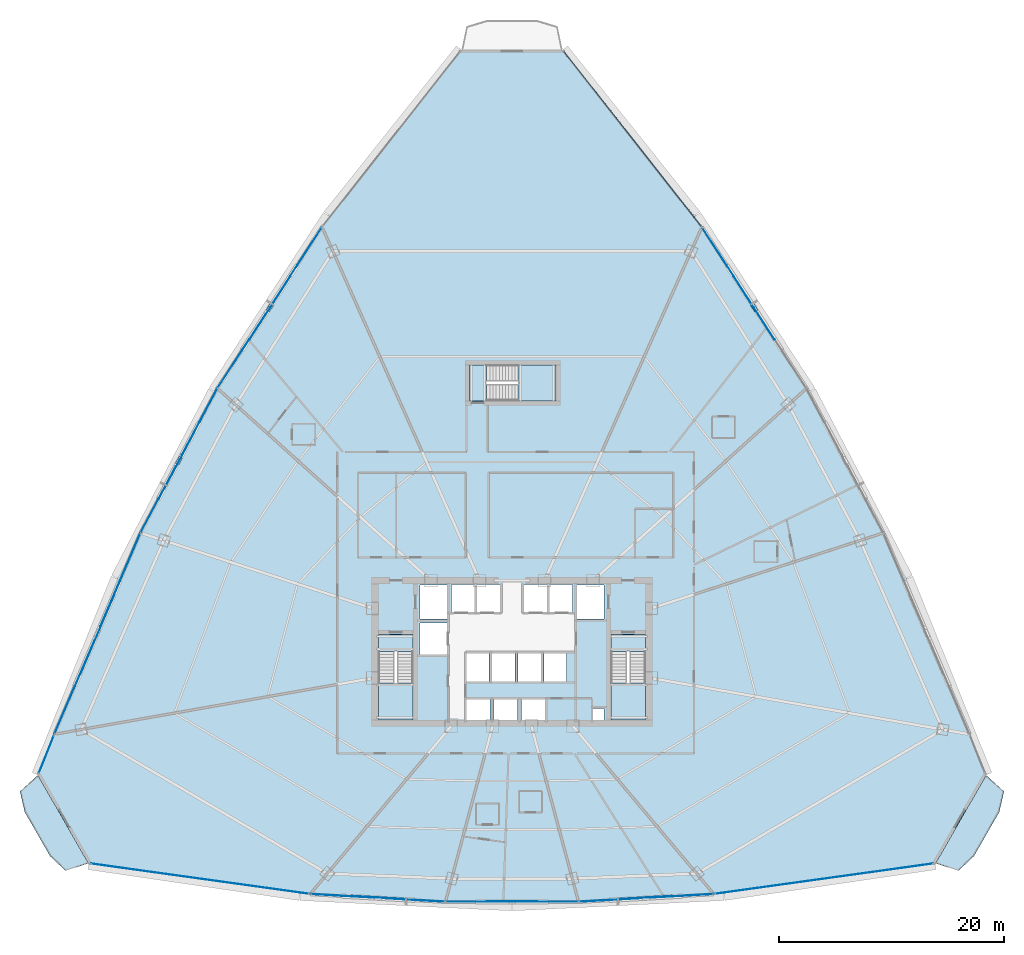
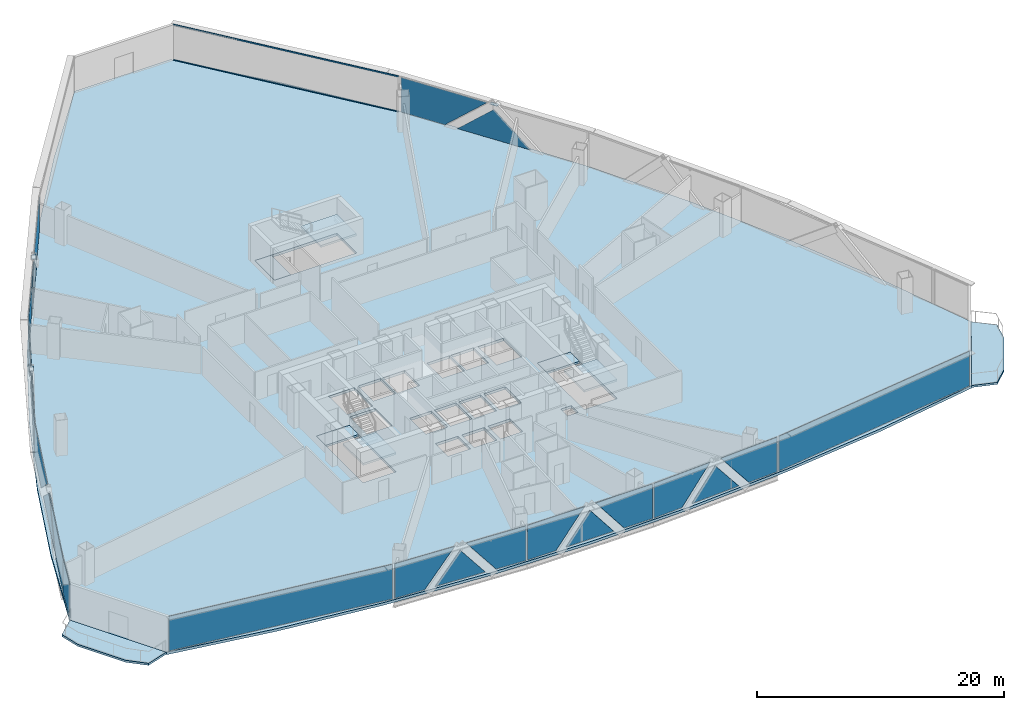
# One storey, part 27 of 37: 26 plates, 9 slabs, 2 members, 14 elements without a shape of their own.
"""IFC4 building model written with IfcOpenShell, lengths in metres."""

from ifc_helpers import new_model, si_unit, direction, frame, origin, origin_2d, place, context, subcontext, project, spatial, polyline, rectangle, hollow_rectangle, outline, extrude, source, transform, mapped, material, layer, layer_set, material_profile, profile_set, type_object, element, aggregate, save


model = new_model("IFC4")

# Units and contexts
model_context = context("Model", 3, precision=1e-05, world=origin(), true_north=direction((0.0, 1.0)))
body_context = subcontext(model_context, "Body", "Model", "MODEL_VIEW")
ifc_project = project(units=[si_unit("LENGTHUNIT", "METRE"), si_unit("AREAUNIT", "SQUARE_METRE"), si_unit("VOLUMEUNIT", "CUBIC_METRE"), si_unit("PLANEANGLEUNIT", "RADIAN"), si_unit("MASSUNIT", "GRAM", prefix="KILO"), si_unit("THERMODYNAMICTEMPERATUREUNIT", "KELVIN"), si_unit("POWERUNIT", "WATT")], contexts=[model_context])

# Site, building, storey
site_placement = place(None, origin())
site = spatial("IfcSite", under=ifc_project, at=site_placement, CompositionType="ELEMENT")
building_placement = place(site_placement, origin())
building = spatial("IfcBuilding", under=site, at=building_placement, Name="Yunzhuo Pagoda Commons", CompositionType="ELEMENT")
storey_placement = place(building_placement, frame((0.0, 0.0, 84.97998046875)))
storey = spatial("IfcBuildingStorey", under=building, at=storey_placement, Name="L21", CompositionType="ELEMENT", Elevation=84.97998046875)

# Curtain wall, members
ifc_material_1 = material(Name="Anodized aluminium 6063-T6", Category="aluminium")
ifc_layer_1 = layer(ifc_material_1, 0.1650390625)
ifc_layer_set_1 = layer_set([ifc_layer_1], Name="Anodized aluminium 6063-T6")
curtain_wall_type = type_object("IfcCurtainWallType", Name="CW-LOW Low-Zone Ribbon Curtain Wall", PredefinedType="NOTDEFINED", material=ifc_layer_set_1)
curtain_wall_1_placement = place(storey_placement, origin())
curtain_wall_1 = element("IfcCurtainWall", 1, at=curtain_wall_1_placement, inside=storey, type_object=curtain_wall_type, Name="L21 curtain wall CW-L21-F2B5", PredefinedType="NOTDEFINED")
ifc_material_profile = material_profile(ifc_material_1, hollow_rectangle(XDim=0.06005859375, YDim=0.139892578125, WallThickness=0.00341796875, at=origin_2d()), Name="Anodized aluminium 6063-T6")
ifc_profile_set = profile_set([ifc_material_profile], Name="Anodized aluminium 6063-T6")
member_type = type_object("IfcMemberType", Name="CW-LOW-T Transom RHS 140x60x3.5", PredefinedType="USERDEFINED", material=ifc_profile_set)
shared_shape_1 = source(origin(), body_context, "Body", "SweptSolid", [
    extrude(hollow_rectangle(XDim=0.06005859375, YDim=0.139892578125, WallThickness=0.00341796875, at=origin_2d()), origin(), (0.0, 0.0, 1.0), 19.706298828125),
])
member_1_placement = place(storey_placement, frame((64.8173828125, 71.777099609375, 0.030029296875), z_axis=(-0.61806117369, 0.786130005519, 0.0), x_axis=(-0.786130005519, -0.61806117369, 0.0)))
member_1 = element("IfcMember", 2, at=member_1_placement, type_object=member_type, Name="CW transom 1.1", ObjectType="TRANSOM", PredefinedType="USERDEFINED", context=body_context, shape_type="MappedRepresentation", body=[
    mapped(shared_shape_1, transform((0.0, 0.0, 0.0), scale=1.0)),
])
member_2_placement = place(storey_placement, frame((64.8173828125, 71.777099609375, 3.510009765625), z_axis=(-0.61806117369, 0.786130005519, 0.0), x_axis=(-0.786130005519, -0.61806117369, 0.0)))
member_2 = element("IfcMember", 3, at=member_2_placement, type_object=member_type, Name="CW transom 1.2", ObjectType="TRANSOM", PredefinedType="USERDEFINED", context=body_context, shape_type="MappedRepresentation", body=[
    mapped(shared_shape_1, transform((0.0, 0.0, 0.0), scale=1.0)),
])
aggregate(curtain_wall_1, [member_1, member_2])

# Curtain wall, plates
curtain_wall_2_placement = place(storey_placement, origin())
curtain_wall_2 = element("IfcCurtainWall", 4, at=curtain_wall_2_placement, inside=storey, type_object=curtain_wall_type, Name="L21 curtain wall CW-L21-F1B2", PredefinedType="NOTDEFINED")
ifc_material_2 = material(Name="Tempered low-e double glazing", Category="glass")
ifc_layer_2 = layer(ifc_material_2, 0.028076171875)
ifc_layer_set_2 = layer_set([ifc_layer_2], Name="Tempered low-e double glazing")
plate_type_1 = type_object("IfcPlateType", Name="CW-LOW-P Low-E Double Glazing 28", PredefinedType="CURTAIN_PANEL", material=ifc_layer_set_2)
plate_1_placement = place(storey_placement, frame((32.8154296875, 12.147705078125, 1.77001953125), z_axis=(-0.057418382325, -0.998350203772, 0.0), x_axis=(0.998350203772, -0.057418382325, 0.0)))
plate_1 = element("IfcPlate", 5, at=plate_1_placement, type_object=plate_type_1, Name="CW panel 1.1 lite 1", PredefinedType="CURTAIN_PANEL", context=body_context, shape_type="SweptSolid", body=[
    extrude(outline(polyline([(-2.71630859375, -1.7099609375), (0.002685546875, -1.7099609375), (2.71630859375, 1.7099609375), (-2.71630859375, 1.7099609375), (-2.71630859375, -1.7099609375)])), origin(), (0.0, 0.0, 1.0), 0.028076171875),
])
plate_2_placement = place(storey_placement, frame((36.060791015625, 11.9912109375, 1.494384765625), z_axis=(-0.057418382325, -0.998350203772, 0.0), x_axis=(0.998350203772, -0.057418382325, 0.0)))
plate_2 = element("IfcPlate", 6, at=plate_2_placement, type_object=plate_type_1, Name="CW panel 1.1 lite 2", PredefinedType="CURTAIN_PANEL", context=body_context, shape_type="SweptSolid", body=[
    extrude(outline(polyline([(-2.276123046875, -1.434326171875), (2.276123046875, -1.434326171875), (0.0, 1.434326171875), (-2.276123046875, -1.434326171875)])), origin(), (0.0, 0.0, 1.0), 0.028076171875),
])
plate_3_placement = place(storey_placement, frame((39.302734375, 11.774658203125, 1.77001953125), z_axis=(-0.057418382325, -0.998350203772, 0.0), x_axis=(0.998350203772, -0.057418382325, 0.0)))
plate_3 = element("IfcPlate", 7, at=plate_3_placement, type_object=plate_type_1, Name="CW panel 1.1 lite 3", PredefinedType="CURTAIN_PANEL", context=body_context, shape_type="SweptSolid", body=[
    extrude(outline(polyline([(-2.71630859375, 1.7099609375), (-0.002685546875, -1.7099609375), (2.71630859375, -1.7099609375), (2.71630859375, 1.7099609375), (-2.71630859375, 1.7099609375)])), origin(), (0.0, 0.0, 1.0), 0.028076171875),
])
aggregate(curtain_wall_2, [plate_1, plate_2, plate_3])

curtain_wall_3_placement = place(storey_placement, origin())
curtain_wall_3 = element("IfcCurtainWall", 8, at=curtain_wall_3_placement, inside=storey, type_object=curtain_wall_type, Name="L21 curtain wall CW-L21-F1B3", PredefinedType="NOTDEFINED")
plate_4_placement = place(storey_placement, frame((44.8076171875, 11.615234375, 1.77001953125), z_axis=(0.0, -1.0, 0.0), x_axis=(1.0, 0.0, 0.0)))
plate_4 = element("IfcPlate", 9, at=plate_4_placement, type_object=plate_type_1, Name="CW panel 1.1 lite 1", PredefinedType="CURTAIN_PANEL", context=body_context, shape_type="SweptSolid", body=[
    extrude(outline(polyline([(-2.663818359375, -1.7099609375), (-0.00048828125, -1.7099609375), (2.663818359375, 1.7099609375), (-2.663818359375, 1.7099609375), (-2.663818359375, -1.7099609375)])), origin(), (0.0, 0.0, 1.0), 0.028076171875),
])
plate_5_placement = place(storey_placement, frame((48.0, 11.64501953125, 1.490966796875), z_axis=(0.0, -1.0, 0.0), x_axis=(1.0, 0.0, 0.0)))
plate_5 = element("IfcPlate", 10, at=plate_5_placement, type_object=plate_type_1, Name="CW panel 1.1 lite 2", PredefinedType="CURTAIN_PANEL", context=body_context, shape_type="SweptSolid", body=[
    extrude(outline(polyline([(-2.229736328125, -1.430908203125), (2.229736328125, -1.430908203125), (0.0, 1.430908203125), (-2.229736328125, -1.430908203125)])), origin(), (0.0, 0.0, 1.0), 0.028076171875),
])
plate_6_placement = place(storey_placement, frame((51.1923828125, 11.615234375, 1.77001953125), z_axis=(0.0, -1.0, 0.0), x_axis=(1.0, 0.0, 0.0)))
plate_6 = element("IfcPlate", 11, at=plate_6_placement, type_object=plate_type_1, Name="CW panel 1.1 lite 3", PredefinedType="CURTAIN_PANEL", context=body_context, shape_type="SweptSolid", body=[
    extrude(outline(polyline([(-2.663818359375, 1.7099609375), (0.00048828125, -1.7099609375), (2.663818359375, -1.7099609375), (2.663818359375, 1.7099609375), (-2.663818359375, 1.7099609375)])), origin(), (0.0, 0.0, 1.0), 0.028076171875),
])
aggregate(curtain_wall_3, [plate_4, plate_5, plate_6])

curtain_wall_4_placement = place(storey_placement, origin())
curtain_wall_4 = element("IfcCurtainWall", 12, at=curtain_wall_4_placement, inside=storey, type_object=curtain_wall_type, Name="L21 curtain wall CW-L21-F1B4", PredefinedType="NOTDEFINED")
plate_7_placement = place(storey_placement, frame((56.697265625, 11.774658203125, 1.77001953125), z_axis=(0.057418382325, -0.998350203772, 0.0), x_axis=(0.998350203772, 0.057418382325, 0.0)))
plate_7 = element("IfcPlate", 13, at=plate_7_placement, type_object=plate_type_1, Name="CW panel 1.1 lite 1", PredefinedType="CURTAIN_PANEL", context=body_context, shape_type="SweptSolid", body=[
    extrude(outline(polyline([(-2.71630859375, -1.7099609375), (0.002685546875, -1.7099609375), (2.71630859375, 1.7099609375), (-2.71630859375, 1.7099609375), (-2.71630859375, -1.7099609375)])), origin(), (0.0, 0.0, 1.0), 0.028076171875),
])
plate_8_placement = place(storey_placement, frame((59.939208984375, 11.9912109375, 1.494384765625), z_axis=(0.057418382325, -0.998350203772, 0.0), x_axis=(0.998350203772, 0.057418382325, 0.0)))
plate_8 = element("IfcPlate", 14, at=plate_8_placement, type_object=plate_type_1, Name="CW panel 1.1 lite 2", PredefinedType="CURTAIN_PANEL", context=body_context, shape_type="SweptSolid", body=[
    extrude(outline(polyline([(-2.276123046875, -1.434326171875), (2.276123046875, -1.434326171875), (0.0, 1.434326171875), (-2.276123046875, -1.434326171875)])), origin(), (0.0, 0.0, 1.0), 0.028076171875),
])
plate_9_placement = place(storey_placement, frame((63.1845703125, 12.147705078125, 1.77001953125), z_axis=(0.057418382325, -0.998350203772, 0.0), x_axis=(0.998350203772, 0.057418382325, 0.0)))
plate_9 = element("IfcPlate", 15, at=plate_9_placement, type_object=plate_type_1, Name="CW panel 1.1 lite 3", PredefinedType="CURTAIN_PANEL", context=body_context, shape_type="SweptSolid", body=[
    extrude(outline(polyline([(-2.71630859375, 1.7099609375), (-0.002685546875, -1.7099609375), (2.71630859375, -1.7099609375), (2.71630859375, 1.7099609375), (-2.71630859375, 1.7099609375)])), origin(), (0.0, 0.0, 1.0), 0.028076171875),
])
aggregate(curtain_wall_4, [plate_7, plate_8, plate_9])

curtain_wall_5_placement = place(storey_placement, origin())
curtain_wall_5 = element("IfcCurtainWall", 16, at=curtain_wall_5_placement, inside=storey, type_object=curtain_wall_type, Name="L21 curtain wall CW-L21-F2B4", PredefinedType="NOTDEFINED")
plate_10_placement = place(storey_placement, frame((69.525146484375, 64.4638671875, 1.5458984375), z_axis=(0.838906636672, 0.544275348466, 0.0), x_axis=(-0.544275348466, 0.838906636672, 0.0)))
plate_10 = element("IfcPlate", 17, at=plate_10_placement, type_object=plate_type_1, Name="CW panel 1.1 lite 2", PredefinedType="CURTAIN_PANEL", context=body_context, shape_type="SweptSolid", body=[
    extrude(outline(polyline([(-3.346435546875, -1.48583984375), (3.346435546875, -1.48583984375), (0.0, 1.48583984375), (-3.346435546875, -1.48583984375)])), origin(), (0.0, 0.0, 1.0), 0.028076171875),
])
plate_11_placement = place(storey_placement, frame((67.064697265625, 68.31103515625, 1.77001953125), z_axis=(0.838906636672, 0.544275348466, 0.0), x_axis=(-0.544275348466, 0.838906636672, 0.0)))
plate_11 = element("IfcPlate", 18, at=plate_11_placement, type_object=plate_type_1, Name="CW panel 1.1 lite 3", PredefinedType="CURTAIN_PANEL", context=body_context, shape_type="SweptSolid", body=[
    extrude(outline(polyline([(-3.926513671875, 1.7099609375), (-0.07568359375, -1.7099609375), (3.926513671875, -1.7099609375), (3.926513671875, 1.7099609375), (-3.926513671875, 1.7099609375)])), origin(), (0.0, 0.0, 1.0), 0.028076171875),
])
aggregate(curtain_wall_5, [plate_10, plate_11])

curtain_wall_6_placement = place(storey_placement, origin())
curtain_wall_6 = element("IfcCurtainWall", 19, at=curtain_wall_6_placement, inside=storey, type_object=curtain_wall_type, Name="L21 curtain wall CW-L21-F3B2", PredefinedType="NOTDEFINED")
plate_12_placement = place(storey_placement, frame((28.935302734375, 68.31103515625, 1.77001953125), z_axis=(-0.838906636672, 0.544275348466, 0.0), x_axis=(-0.544275348466, -0.838906636672, 0.0)))
plate_12 = element("IfcPlate", 20, at=plate_12_placement, type_object=plate_type_1, Name="CW panel 1.1 lite 1", PredefinedType="CURTAIN_PANEL", context=body_context, shape_type="SweptSolid", body=[
    extrude(outline(polyline([(-3.926513671875, -1.7099609375), (0.07568359375, -1.7099609375), (3.926513671875, 1.7099609375), (-3.926513671875, 1.7099609375), (-3.926513671875, -1.7099609375)])), origin(), (0.0, 0.0, 1.0), 0.028076171875),
])
plate_13_placement = place(storey_placement, frame((26.47509765625, 64.4638671875, 1.5458984375), z_axis=(-0.838906636672, 0.544275348466, 0.0), x_axis=(-0.544275348466, -0.838906636672, 0.0)))
plate_13 = element("IfcPlate", 21, at=plate_13_placement, type_object=plate_type_1, Name="CW panel 1.1 lite 2", PredefinedType="CURTAIN_PANEL", context=body_context, shape_type="SweptSolid", body=[
    extrude(outline(polyline([(-3.346435546875, -1.48583984375), (3.346435546875, -1.48583984375), (0.0, 1.48583984375), (-3.346435546875, -1.48583984375)])), origin(), (0.0, 0.0, 1.0), 0.028076171875),
])
plate_14_placement = place(storey_placement, frame((23.96435546875, 60.6494140625, 1.77001953125), z_axis=(-0.838906636672, 0.544275348466, 0.0), x_axis=(-0.544275348466, -0.838906636672, 0.0)))
plate_14 = element("IfcPlate", 22, at=plate_14_placement, type_object=plate_type_1, Name="CW panel 1.1 lite 3", PredefinedType="CURTAIN_PANEL", context=body_context, shape_type="SweptSolid", body=[
    extrude(outline(polyline([(-3.926513671875, 1.7099609375), (-0.075439453125, -1.7099609375), (3.926513671875, -1.7099609375), (3.926513671875, 1.7099609375), (-3.926513671875, 1.7099609375)])), origin(), (0.0, 0.0, 1.0), 0.028076171875),
])
aggregate(curtain_wall_6, [plate_12, plate_13, plate_14])

curtain_wall_7_placement = place(storey_placement, origin())
curtain_wall_7 = element("IfcCurtainWall", 23, at=curtain_wall_7_placement, inside=storey, type_object=curtain_wall_type, Name="L21 curtain wall CW-L21-F3B3", PredefinedType="NOTDEFINED")
plate_15_placement = place(storey_placement, frame((20.203369140625, 54.314697265625, 1.77001953125), z_axis=(-0.8828050059, 0.469739631666, 0.0), x_axis=(-0.469739631666, -0.8828050059, 0.0)))
plate_15 = element("IfcPlate", 24, at=plate_15_placement, type_object=plate_type_1, Name="CW panel 1.1 lite 1", PredefinedType="CURTAIN_PANEL", context=body_context, shape_type="SweptSolid", body=[
    extrude(outline(polyline([(-3.318603515625, -1.7099609375), (0.039794921875, -1.7099609375), (3.318603515625, 1.7099609375), (-3.318603515625, 1.7099609375), (-3.318603515625, -1.7099609375)])), origin(), (0.0, 0.0, 1.0), 0.028076171875),
])
plate_16_placement = place(storey_placement, frame((18.396484375, 50.855224609375, 1.525390625), z_axis=(-0.8828050059, 0.469739631666, 0.0), x_axis=(-0.469739631666, -0.8828050059, 0.0)))
plate_16 = element("IfcPlate", 25, at=plate_16_placement, type_object=plate_type_1, Name="CW panel 1.1 lite 2", PredefinedType="CURTAIN_PANEL", context=body_context, shape_type="SweptSolid", body=[
    extrude(outline(polyline([(-2.81005859375, -1.46533203125), (2.81005859375, -1.46533203125), (0.0, 1.465576171875), (-2.81005859375, -1.46533203125)])), origin(), (0.0, 0.0, 1.0), 0.028076171875),
])
plate_17_placement = place(storey_placement, frame((16.536865234375, 47.424072265625, 1.77001953125), z_axis=(-0.8828050059, 0.469739631666, 0.0), x_axis=(-0.469739631666, -0.8828050059, 0.0)))
plate_17 = element("IfcPlate", 26, at=plate_17_placement, type_object=plate_type_1, Name="CW panel 1.1 lite 3", PredefinedType="CURTAIN_PANEL", context=body_context, shape_type="SweptSolid", body=[
    extrude(outline(polyline([(-3.31884765625, 1.7099609375), (-0.039794921875, -1.7099609375), (3.31884765625, -1.7099609375), (3.31884765625, 1.7099609375), (-3.31884765625, 1.7099609375)])), origin(), (0.0, 0.0, 1.0), 0.028076171875),
])
aggregate(curtain_wall_7, [plate_15, plate_16, plate_17])

curtain_wall_8_placement = place(storey_placement, origin())
curtain_wall_8 = element("IfcCurtainWall", 27, at=curtain_wall_8_placement, inside=storey, type_object=curtain_wall_type, Name="L21 curtain wall CW-L21-F3B4", PredefinedType="NOTDEFINED")
plate_18_placement = place(storey_placement, frame((13.15234375, 40.24560546875, 1.77001953125), z_axis=(-0.919250024103, 0.39367422215, 0.0), x_axis=(-0.39367422215, -0.919250024103, 0.0)))
plate_18 = element("IfcPlate", 28, at=plate_18_placement, type_object=plate_type_1, Name="CW panel 1.1 lite 1", PredefinedType="CURTAIN_PANEL", context=body_context, shape_type="SweptSolid", body=[
    extrude(outline(polyline([(-4.49560546875, -1.7099609375), (0.107421875, -1.7099609375), (4.49560546875, 1.7099609375), (-4.49560546875, 1.7099609375), (-4.49560546875, -1.7099609375)])), origin(), (0.0, 0.0, 1.0), 0.028076171875),
])
plate_19_placement = place(storey_placement, frame((11.136474609375, 35.46240234375, 1.55908203125), z_axis=(-0.919250024103, 0.39367422215, 0.0), x_axis=(-0.39367422215, -0.919250024103, 0.0)))
plate_19 = element("IfcPlate", 29, at=plate_19_placement, type_object=plate_type_1, Name="CW panel 1.1 lite 2", PredefinedType="CURTAIN_PANEL", context=body_context, shape_type="SweptSolid", body=[
    extrude(outline(polyline([(-3.846923828125, -1.4990234375), (3.846923828125, -1.4990234375), (0.0, 1.4990234375), (-3.846923828125, -1.4990234375)])), origin(), (0.0, 0.0, 1.0), 0.028076171875),
])
plate_20_placement = place(storey_placement, frame((9.0654296875, 30.70263671875, 1.77001953125), z_axis=(-0.919250024103, 0.39367422215, 0.0), x_axis=(-0.39367422215, -0.919250024103, 0.0)))
plate_20 = element("IfcPlate", 30, at=plate_20_placement, type_object=plate_type_1, Name="CW panel 1.1 lite 3", PredefinedType="CURTAIN_PANEL", context=body_context, shape_type="SweptSolid", body=[
    extrude(outline(polyline([(-4.49560546875, 1.7099609375), (-0.107421875, -1.7099609375), (4.49560546875, -1.7099609375), (4.49560546875, 1.7099609375), (-4.49560546875, 1.7099609375)])), origin(), (0.0, 0.0, 1.0), 0.028076171875),
])
aggregate(curtain_wall_8, [plate_18, plate_19, plate_20])

# Slabs
ifc_material_3 = material(Name="Concrete C40", Category="concrete")
ifc_layer_3 = layer(ifc_material_3, 0.199951171875)
ifc_layer_set_3 = layer_set([ifc_layer_3], Name="Concrete C40")
slab_type_1 = type_object("IfcSlabType", Name="SL-BAL Vertex Balcony Deck Slab 200", PredefinedType="FLOOR", material=ifc_layer_set_3)
slab_1_placement = place(storey_placement, frame((0.0, 0.0, -0.199951171875)))
element("IfcSlab", 31, at=slab_1_placement, inside=storey, type_object=slab_type_1, Name="L21 corner balcony V1", PredefinedType="FLOOR", context=body_context, shape_type="SweptSolid", body=[
    extrude(outline(polyline([(5.7958984375, 22.867919921875), (10.29833984375, 15.026123046875), (8.257568359375, 14.373291015625), (6.87890625, 15.669677734375), (4.627685546875, 19.590576171875), (4.202880859375, 21.4345703125), (5.7958984375, 22.867919921875)])), origin(), (0.0, 0.0, 1.0), 0.199951171875),
])
slab_2_placement = place(storey_placement, frame((0.0, 0.0, -0.199951171875)))
element("IfcSlab", 32, at=slab_2_placement, inside=storey, type_object=slab_type_1, Name="L21 corner balcony V2", PredefinedType="FLOOR", context=body_context, shape_type="SweptSolid", body=[
    extrude(outline(polyline([(85.70166015625, 15.026123046875), (90.2041015625, 22.867919921875), (91.797119140625, 21.4345703125), (91.372314453125, 19.590576171875), (89.12109375, 15.669677734375), (87.742431640625, 14.373291015625), (85.70166015625, 15.026123046875)])), origin(), (0.0, 0.0, 1.0), 0.199951171875),
])

# Stair, slabs
stair_type_1 = type_object("IfcStairType", Name="ST-C1 Core Smokeproof Stair ST1", PredefinedType="HALF_TURN_STAIR", material=ifc_material_3)
stair_1_placement = place(storey_placement, origin())
stair_1 = element("IfcStair", 33, at=stair_1_placement, inside=storey, type_object=stair_type_1, Name="L21 Core smokeproof stair ST1", PredefinedType="HALF_TURN_STAIR")
ifc_layer_4 = layer(ifc_material_3, 0.199951171875)
ifc_layer_set_4 = layer_set([ifc_layer_4], Name="Concrete C40")
slab_type_2 = type_object("IfcSlabType", Name="SL-LND1 Stair Landing Slab 200", PredefinedType="LANDING", material=ifc_layer_set_4)
slab_3_placement = place(storey_placement, frame((0.0, 0.0, 1.699951171875)))
slab_3 = element("IfcSlab", 34, at=slab_3_placement, type_object=slab_type_2, Name="ST1 landing 1", PredefinedType="LANDING", context=body_context, shape_type="SweptSolid", body=[
    extrude(outline(polyline([(36.10009765625, 31.10009765625), (36.10009765625, 27.800048828125), (39.199951171875, 27.800048828125), (39.199951171875, 31.10009765625), (36.10009765625, 31.10009765625)])), origin(), (0.0, 0.0, 1.0), 0.199951171875),
])
slab_4_placement = place(storey_placement, frame((0.0, 0.0, -0.199951171875)))
slab_4 = element("IfcSlab", 35, at=slab_4_placement, type_object=slab_type_2, Name="ST1 floor landing L21", PredefinedType="LANDING", context=body_context, shape_type="SweptSolid", body=[
    extrude(outline(polyline([(36.10009765625, 35.39990234375), (36.10009765625, 33.89990234375), (39.199951171875, 33.89990234375), (39.199951171875, 35.39990234375), (36.10009765625, 35.39990234375)])), origin(), (0.0, 0.0, 1.0), 0.199951171875),
])
aggregate(stair_1, [slab_3, slab_4])

stair_type_2 = type_object("IfcStairType", Name="ST-C2 Core Smokeproof Stair ST2", PredefinedType="HALF_TURN_STAIR", material=ifc_material_3)
stair_2_placement = place(storey_placement, origin())
stair_2 = element("IfcStair", 36, at=stair_2_placement, inside=storey, type_object=stair_type_2, Name="L21 Core smokeproof stair ST2", PredefinedType="HALF_TURN_STAIR")
ifc_layer_5 = layer(ifc_material_3, 0.201904296875)
ifc_layer_set_5 = layer_set([ifc_layer_5], Name="Concrete C40")
slab_type_3 = type_object("IfcSlabType", Name="SL-LND2 Stair Landing Slab 202", PredefinedType="LANDING", material=ifc_layer_set_5)
slab_5_placement = place(storey_placement, frame((0.0, 0.0, 1.699951171875)))
slab_5 = element("IfcSlab", 37, at=slab_5_placement, type_object=slab_type_3, Name="ST2 landing 1", PredefinedType="LANDING", context=body_context, shape_type="SweptSolid", body=[
    extrude(outline(polyline([(56.800048828125, 31.10009765625), (56.800048828125, 27.800048828125), (59.89990234375, 27.800048828125), (59.89990234375, 31.10009765625), (56.800048828125, 31.10009765625)])), origin(), (0.0, 0.0, 1.0), 0.199951171875),
])
slab_6_placement = place(storey_placement, frame((0.0, 0.0, -0.199951171875)))
slab_6 = element("IfcSlab", 38, at=slab_6_placement, type_object=slab_type_3, Name="ST2 floor landing L21", PredefinedType="LANDING", context=body_context, shape_type="SweptSolid", body=[
    extrude(outline(polyline([(56.800048828125, 35.39990234375), (56.800048828125, 33.89990234375), (59.89990234375, 33.89990234375), (59.89990234375, 35.39990234375), (56.800048828125, 35.39990234375)])), origin(), (0.0, 0.0, 1.0), 0.199951171875),
])
aggregate(stair_2, [slab_5, slab_6])

stair_type_3 = type_object("IfcStairType", Name="ST-C3 North Tower Smokeproof Stair ST3", PredefinedType="HALF_TURN_STAIR", material=ifc_material_3)
stair_3_placement = place(storey_placement, origin())
stair_3 = element("IfcStair", 39, at=stair_3_placement, inside=storey, type_object=stair_type_3, Name="L21 North tower smokeproof stair ST3", PredefinedType="HALF_TURN_STAIR")
ifc_layer_6 = layer(ifc_material_3, 0.2041015625)
ifc_layer_set_6 = layer_set([ifc_layer_6], Name="Concrete C40")
slab_type_4 = type_object("IfcSlabType", Name="SL-LND5 North Landing Slab 204", PredefinedType="LANDING", material=ifc_layer_set_6)
slab_7_placement = place(storey_placement, frame((0.0, 0.0, 1.699951171875)))
slab_7 = element("IfcSlab", 40, at=slab_7_placement, type_object=slab_type_4, Name="ST3 landing 1", PredefinedType="LANDING", context=body_context, shape_type="SweptSolid", body=[
    extrude(outline(polyline([(48.550048828125, 56.199951171875), (51.89990234375, 56.199951171875), (51.89990234375, 59.39990234375), (48.550048828125, 59.39990234375), (48.550048828125, 56.199951171875)])), origin(), (0.0, 0.0, 1.0), 0.199951171875),
])
slab_8_placement = place(storey_placement, frame((0.0, 0.0, -0.199951171875)))
slab_8 = element("IfcSlab", 41, at=slab_8_placement, type_object=slab_type_4, Name="ST3 floor landing L21", PredefinedType="LANDING", context=body_context, shape_type="SweptSolid", body=[
    extrude(outline(polyline([(44.199951171875, 56.199951171875), (45.75, 56.199951171875), (45.75, 59.39990234375), (44.199951171875, 59.39990234375), (44.199951171875, 56.199951171875)])), origin(), (0.0, 0.0, 1.0), 0.199951171875),
])
aggregate(stair_3, [slab_7, slab_8])

# Slab
ifc_layer_7 = layer(ifc_material_3, 0.260009765625)
ifc_layer_set_7 = layer_set([ifc_layer_7], Name="Concrete C40")
slab_type_5 = type_object("IfcSlabType", Name="SL-TWR Typical Tower Floor Slab 260", PredefinedType="FLOOR", material=ifc_layer_set_7)
slab_9_placement = place(storey_placement, frame((0.0, 0.0, -0.260009765625)))
element("IfcSlab", 42, at=slab_9_placement, inside=storey, type_object=slab_type_5, Name="L21 structural floor slab", PredefinedType="FLOOR", context=body_context, shape_type="SweptSolid", body=[
    extrude(outline(polyline([(9.1259765625, 31.752197265625), (12.84814453125, 40.402587890625), (16.966064453125, 48.82177734375), (21.480224609375, 57.009765625), (26.390380859375, 64.966796875), (31.69677734375, 72.6923828125), (37.39892578125, 80.186767578125), (43.497314453125, 87.449951171875), (52.502685546875, 87.449951171875), (58.60107421875, 80.186767578125), (64.30322265625, 72.6923828125), (69.609619140625, 64.966796875), (74.519775390625, 57.009765625), (79.033935546875, 48.82177734375), (83.15185546875, 40.402587890625), (86.8740234375, 31.752197265625), (90.199951171875, 22.87060546875), (85.697265625, 15.028564453125), (76.27294921875, 13.423583984375), (66.8486328125, 12.277099609375), (57.42431640625, 11.589111328125), (48.0, 11.35986328125), (38.57568359375, 11.589111328125), (29.1513671875, 12.277099609375), (19.72705078125, 13.423583984375), (10.302734375, 15.028564453125), (5.800048828125, 22.87060546875), (9.1259765625, 31.752197265625)]), holes=[polyline([(46.050048828125, 27.60009765625), (46.050048828125, 29.64990234375), (43.949951171875, 29.64990234375), (43.949951171875, 27.60009765625), (46.050048828125, 27.60009765625)]), polyline([(48.5, 27.60009765625), (48.5, 29.64990234375), (46.39990234375, 29.64990234375), (46.39990234375, 27.60009765625), (48.5, 27.60009765625)]), polyline([(36.10009765625, 27.800048828125), (39.199951171875, 27.800048828125), (39.199951171875, 35.39990234375), (36.10009765625, 35.39990234375), (36.10009765625, 27.800048828125)]), polyline([(45.969970703125, 31.199951171875), (45.969970703125, 33.800048828125), (43.929931640625, 33.800048828125), (43.929931640625, 31.199951171875), (45.969970703125, 31.199951171875)]), polyline([(48.27001953125, 31.199951171875), (48.27001953125, 33.800048828125), (46.22998046875, 33.800048828125), (46.22998046875, 31.199951171875), (48.27001953125, 31.199951171875)]), polyline([(42.199951171875, 33.60009765625), (42.199951171875, 36.39990234375), (39.800048828125, 36.39990234375), (39.800048828125, 33.60009765625), (42.199951171875, 33.60009765625)]), polyline([(42.199951171875, 36.800048828125), (42.199951171875, 39.800048828125), (39.800048828125, 39.800048828125), (39.800048828125, 36.800048828125), (42.199951171875, 36.800048828125)]), polyline([(42.60009765625, 37.39990234375), (44.699951171875, 37.39990234375), (44.699951171875, 39.85009765625), (42.60009765625, 39.85009765625), (42.60009765625, 37.39990234375)]), polyline([(44.85009765625, 37.39990234375), (46.949951171875, 37.39990234375), (46.949951171875, 39.85009765625), (44.85009765625, 39.85009765625), (44.85009765625, 37.39990234375)]), polyline([(56.179931640625, 27.699951171875), (56.179931640625, 28.800048828125), (55.179931640625, 28.800048828125), (55.179931640625, 27.699951171875), (56.179931640625, 27.699951171875)]), polyline([(50.949951171875, 27.60009765625), (50.949951171875, 29.64990234375), (48.85009765625, 29.64990234375), (48.85009765625, 27.60009765625), (50.949951171875, 27.60009765625)]), polyline([(56.800048828125, 27.800048828125), (59.89990234375, 27.800048828125), (59.89990234375, 35.39990234375), (56.800048828125, 35.39990234375), (56.800048828125, 27.800048828125)]), polyline([(50.570068359375, 31.199951171875), (50.570068359375, 33.800048828125), (48.530029296875, 33.800048828125), (48.530029296875, 31.199951171875), (50.570068359375, 31.199951171875)]), polyline([(52.8701171875, 31.199951171875), (52.8701171875, 33.800048828125), (50.830078125, 33.800048828125), (50.830078125, 31.199951171875), (52.8701171875, 31.199951171875)]), polyline([(56.199951171875, 36.800048828125), (56.199951171875, 39.800048828125), (53.800048828125, 39.800048828125), (53.800048828125, 36.800048828125), (56.199951171875, 36.800048828125)]), polyline([(51.14990234375, 37.39990234375), (51.14990234375, 39.85009765625), (49.050048828125, 39.85009765625), (49.050048828125, 37.39990234375), (51.14990234375, 37.39990234375)]), polyline([(51.300048828125, 37.39990234375), (53.39990234375, 37.39990234375), (53.39990234375, 39.85009765625), (51.300048828125, 39.85009765625), (51.300048828125, 37.39990234375)]), polyline([(44.199951171875, 56.199951171875), (51.89990234375, 56.199951171875), (51.89990234375, 59.39990234375), (44.199951171875, 59.39990234375), (44.199951171875, 56.199951171875)])]), origin(), (0.0, 0.0, 1.0), 0.260009765625),
])

# Plates
ifc_material_4 = material(Name="Structural steel Q355B", Category="steel")
ifc_layer_8 = layer(ifc_material_4, 0.028076171875)
ifc_layer_set_8 = layer_set([ifc_layer_8], Name="Structural steel Q355B")
plate_type_2 = type_object("IfcPlateType", Name="SP-ND1 Lattice Node Cap Plate 800x500x28", PredefinedType="USERDEFINED", material=ifc_layer_set_8)
shared_shape_2 = source(origin(), body_context, "Body", "SweptSolid", [
    extrude(rectangle(XDim=0.699951171875, YDim=0.35009765625, at=origin_2d()), origin(), (0.0, 0.0, 1.0), 0.035888671875),
])
for number, where, z_axis, x_axis, name in (
    (43, (69.56201171875, 64.48779296875, 3.501953125), (0.0, 0.0, 1.0), (-0.544273044112, 0.838908131712, 0.0), "L21 setback lattice tie plate F2.3L"),
    (44, (26.43798828125, 64.48779296875, 3.501953125), (0.0, 0.0, 1.0), (-0.544273044112, -0.838908131712, 0.0), "L21 setback lattice tie plate F3.1L"),
    (45, (18.357421875, 50.8759765625, 3.501953125), (0.0, 0.0, 1.0), (-0.469733517942, -0.882808258979, 0.0), "L21 setback lattice tie plate F3.2L"),
):
    element("IfcPlate", number, at=place(storey_placement, frame(where, z_axis=z_axis, x_axis=x_axis)), inside=storey, type_object=plate_type_2, Name=name, ObjectType="STIFFENER_PLATE", PredefinedType="USERDEFINED", context=body_context, shape_type="MappedRepresentation", body=[
        mapped(shared_shape_2, transform((0.0, 0.0, 0.0), scale=1.0)),
    ])

# Curtain wall, plate
curtain_wall_9_placement = place(storey_placement, origin())
curtain_wall_9 = element("IfcCurtainWall", 46, at=curtain_wall_9_placement, inside=storey, type_object=curtain_wall_type, Name="L21 curtain wall CW-L21-F1B1", PredefinedType="NOTDEFINED")
shared_shape_3 = source(origin(), body_context, "Body", "SweptSolid", [
    extrude(rectangle(XDim=19.557861328125, YDim=0.028076171875, at=origin_2d()), origin(), (0.0, 0.0, 1.0), 3.419921875),
])
plate_21_placement = place(storey_placement, frame((20.213134765625, 13.657470703125, 0.06005859375), z_axis=(0.0, 0.0, 1.0), x_axis=(0.990502363677, -0.137495700118, 0.0)))
plate_21 = element("IfcPlate", 47, at=plate_21_placement, type_object=plate_type_1, Name="CW panel 1.1", PredefinedType="CURTAIN_PANEL", context=body_context, shape_type="MappedRepresentation", body=[
    mapped(shared_shape_3, transform((0.0, 0.0, 0.0), scale=1.0)),
])
aggregate(curtain_wall_9, [plate_21])

curtain_wall_10_placement = place(storey_placement, origin())
curtain_wall_10 = element("IfcCurtainWall", 48, at=curtain_wall_10_placement, inside=storey, type_object=curtain_wall_type, Name="L21 curtain wall CW-L21-F1B5", PredefinedType="NOTDEFINED")
plate_22_placement = place(storey_placement, frame((75.786865234375, 13.657470703125, 0.06005859375), z_axis=(0.0, 0.0, 1.0), x_axis=(0.990502363677, 0.137495700118, 0.0)))
plate_22 = element("IfcPlate", 49, at=plate_22_placement, type_object=plate_type_1, Name="CW panel 1.1", PredefinedType="CURTAIN_PANEL", context=body_context, shape_type="MappedRepresentation", body=[
    mapped(shared_shape_3, transform((0.0, 0.0, 0.0), scale=1.0)),
])
aggregate(curtain_wall_10, [plate_22])

curtain_wall_11_placement = place(storey_placement, origin())
curtain_wall_11 = element("IfcCurtainWall", 50, at=curtain_wall_11_placement, inside=storey, type_object=curtain_wall_type, Name="L21 curtain wall CW-L21-F3B5", PredefinedType="NOTDEFINED")
shared_shape_4 = source(origin(), body_context, "Body", "SweptSolid", [
    extrude(rectangle(XDim=3.56005859375, YDim=0.028076171875, at=origin_2d()), origin(), (0.0, 0.0, 1.0), 3.419921875),
])
plate_23_placement = place(storey_placement, frame((6.547607421875, 24.73193359375, 0.06005859375), z_axis=(0.0, 0.0, 1.0), x_axis=(-0.369651850711, -0.929170333828, 0.0)))
plate_23 = element("IfcPlate", 51, at=plate_23_placement, type_object=plate_type_1, Name="CW panel 1.1", PredefinedType="CURTAIN_PANEL", context=body_context, shape_type="MappedRepresentation", body=[
    mapped(shared_shape_4, transform((0.0, 0.0, 0.0), scale=1.0)),
])
aggregate(curtain_wall_11, [plate_23])

save(model, "model.ifc")
